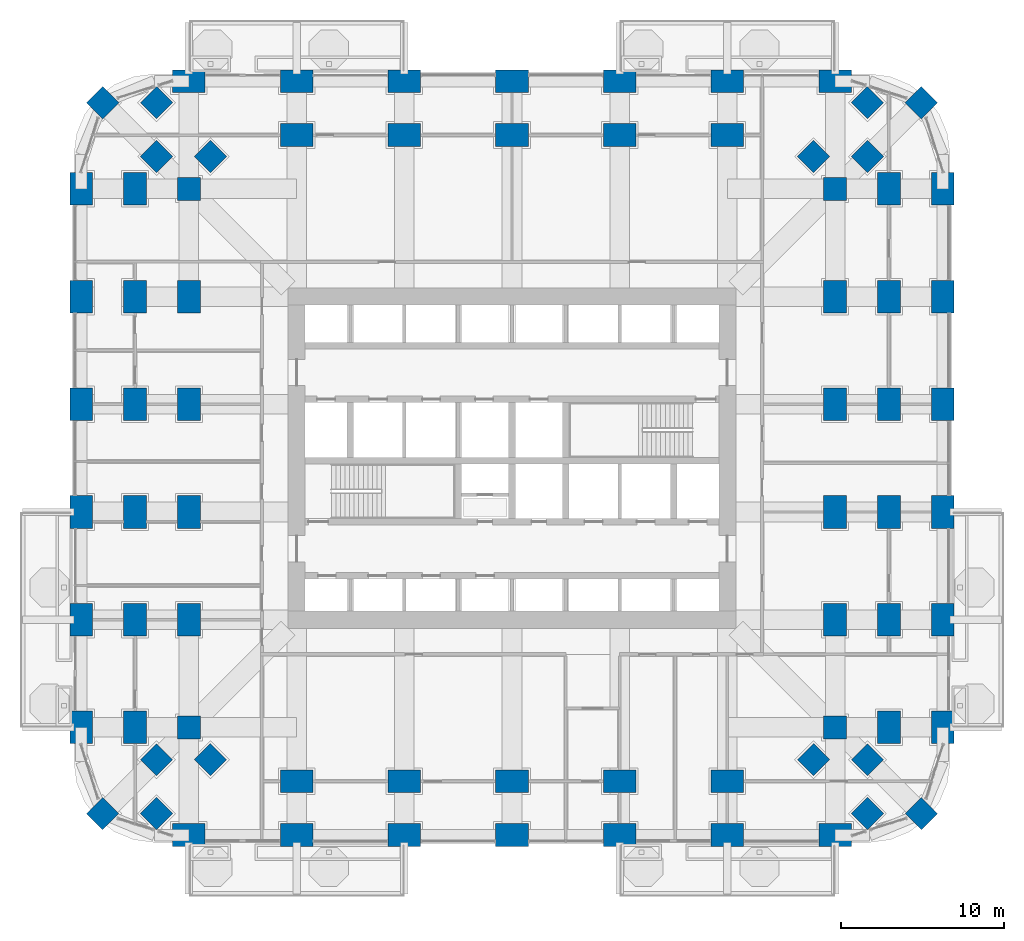
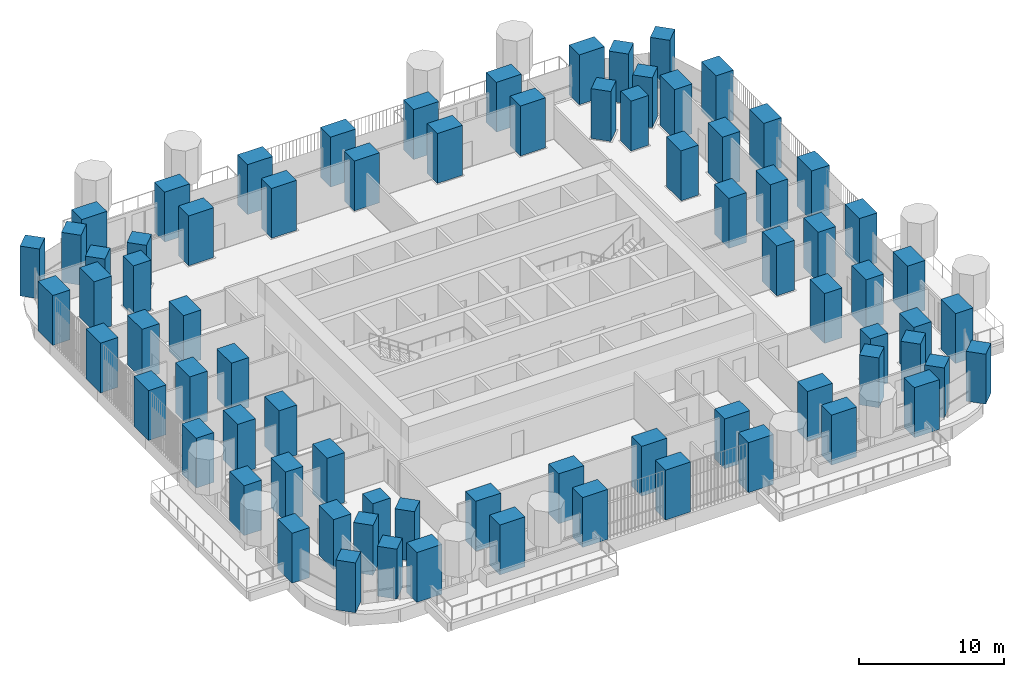
# One storey, part 1 of 25: 76 columns.
"""IFC4 building model written with IfcOpenShell, lengths in metres."""

from ifc_helpers import new_model, si_unit, direction, frame, origin, origin_2d, place, context, subcontext, project, spatial, rectangle, extrude, material, material_profile, profile_set, type_object, element, save


model = new_model("IFC4")

# Units and contexts
model_context = context("Model", 3, precision=1e-05, world=origin(), true_north=direction((0.0, 1.0)))
body_context = subcontext(model_context, "Body", "Model", "MODEL_VIEW")
ifc_project = project(units=[si_unit("LENGTHUNIT", "METRE"), si_unit("AREAUNIT", "SQUARE_METRE"), si_unit("VOLUMEUNIT", "CUBIC_METRE"), si_unit("PLANEANGLEUNIT", "RADIAN"), si_unit("MASSUNIT", "GRAM", prefix="KILO")], contexts=[model_context])

# Site, building, storey
site_placement = place(None, origin())
site = spatial("IfcSite", under=ifc_project, at=site_placement, CompositionType="ELEMENT")
building_placement = place(site_placement, origin())
building = spatial("IfcBuilding", under=site, at=building_placement, Name="Cobogo Forest Laboratory Tower", CompositionType="ELEMENT")
storey_placement = place(building_placement, frame((0.0, 0.0, 21.300048828125)))
storey = spatial("IfcBuildingStorey", under=building, at=storey_placement, Name="L04", CompositionType="ELEMENT", Elevation=21.300048828125)

# Columns
ifc_material = material(Name="Concrete HA-50 (C50/60)", Category="concrete")
ifc_material_profile_1 = material_profile(ifc_material, rectangle(XDim=2.0, YDim=1.39990234375, at=origin_2d()), Name="RC 1400x2000")
ifc_profile_set_1 = profile_set([ifc_material_profile_1], Name="Concrete HA-50 (C50/60)")
column_type_1 = type_object("IfcColumnType", Name="Blade column 1400x2000", PredefinedType="COLUMN", material=ifc_profile_set_1)
for number, where, z_axis, x_axis, name in (
    (1, (6.60009765625, 0.0, 0.0), (0.0, 0.0, 1.0), (1.0, 0.0, 0.0), "Column 2-A L04"),
    (2, (13.199951171875, 0.0, 0.0), (0.0, 0.0, 1.0), (1.0, 0.0, 0.0), "Column 3-A L04"),
    (3, (19.800048828125, 0.0, 0.0), (0.0, 0.0, 1.0), (1.0, 0.0, 0.0), "Column 4-A L04"),
    (4, (26.39990234375, 0.0, 0.0), (0.0, 0.0, 1.0), (1.0, 0.0, 0.0), "Column 5-A L04"),
    (5, (33.0, 0.0, 0.0), (0.0, 0.0, 1.0), (1.0, 0.0, 0.0), "Column 6-A L04"),
    (6, (39.60009765625, 0.0, 0.0), (0.0, 0.0, 1.0), (1.0, 0.0, 0.0), "Column 7-A L04"),
    (7, (46.199951171875, 0.0, 0.0), (0.0, 0.0, 1.0), (1.0, 0.0, 0.0), "Column 8-A L04"),
    (8, (0.0, 6.60009765625, 0.0), (0.0, 0.0, 1.0), (0.0, 1.0, 0.0), "Column 1-B L04"),
    (9, (52.800048828125, 6.60009765625, 0.0), (0.0, 0.0, 1.0), (0.0, 1.0, 0.0), "Column 9-B L04"),
    (10, (0.0, 13.199951171875, 0.0), (0.0, 0.0, 1.0), (0.0, 1.0, 0.0), "Column 1-C L04"),
    (11, (52.800048828125, 13.199951171875, 0.0), (0.0, 0.0, 1.0), (0.0, 1.0, 0.0), "Column 9-C L04"),
    (12, (0.0, 19.800048828125, 0.0), (0.0, 0.0, 1.0), (0.0, 1.0, 0.0), "Column 1-D L04"),
    (13, (52.800048828125, 19.800048828125, 0.0), (0.0, 0.0, 1.0), (0.0, 1.0, 0.0), "Column 9-D L04"),
    (14, (0.0, 26.39990234375, 0.0), (0.0, 0.0, 1.0), (0.0, 1.0, 0.0), "Column 1-E L04"),
    (15, (52.800048828125, 26.39990234375, 0.0), (0.0, 0.0, 1.0), (0.0, 1.0, 0.0), "Column 9-E L04"),
    (16, (0.0, 33.0, 0.0), (0.0, 0.0, 1.0), (0.0, 1.0, 0.0), "Column 1-F L04"),
    (17, (52.800048828125, 33.0, 0.0), (0.0, 0.0, 1.0), (0.0, 1.0, 0.0), "Column 9-F L04"),
    (18, (0.0, 39.60009765625, 0.0), (0.0, 0.0, 1.0), (0.0, 1.0, 0.0), "Column 1-G L04"),
    (19, (52.800048828125, 39.60009765625, 0.0), (0.0, 0.0, 1.0), (0.0, 1.0, 0.0), "Column 9-G L04"),
    (20, (6.60009765625, 46.199951171875, 0.0), (0.0, 0.0, 1.0), (1.0, 0.0, 0.0), "Column 2-H L04"),
    (21, (13.199951171875, 46.199951171875, 0.0), (0.0, 0.0, 1.0), (1.0, 0.0, 0.0), "Column 3-H L04"),
    (22, (19.800048828125, 46.199951171875, 0.0), (0.0, 0.0, 1.0), (1.0, 0.0, 0.0), "Column 4-H L04"),
    (23, (26.39990234375, 46.199951171875, 0.0), (0.0, 0.0, 1.0), (1.0, 0.0, 0.0), "Column 5-H L04"),
    (24, (33.0, 46.199951171875, 0.0), (0.0, 0.0, 1.0), (1.0, 0.0, 0.0), "Column 6-H L04"),
    (25, (39.60009765625, 46.199951171875, 0.0), (0.0, 0.0, 1.0), (1.0, 0.0, 0.0), "Column 7-H L04"),
    (26, (46.199951171875, 46.199951171875, 0.0), (0.0, 0.0, 1.0), (1.0, 0.0, 0.0), "Column 8-H L04"),
    (27, (3.300048828125, 6.60009765625, 0.0), (0.0, 0.0, 1.0), (0.0, 1.0, 0.0), "Column 1.1-B-B L04"),
    (28, (49.5, 6.60009765625, 0.0), (0.0, 0.0, 1.0), (0.0, 1.0, 0.0), "Column 8.1-B-B L04"),
    (29, (3.300048828125, 13.199951171875, 0.0), (0.0, 0.0, 1.0), (0.0, 1.0, 0.0), "Column 1.1-C-B L04"),
    (30, (49.5, 13.199951171875, 0.0), (0.0, 0.0, 1.0), (0.0, 1.0, 0.0), "Column 8.1-C-B L04"),
    (31, (3.300048828125, 19.800048828125, 0.0), (0.0, 0.0, 1.0), (0.0, 1.0, 0.0), "Column 1.1-D-B L04"),
    (32, (49.5, 19.800048828125, 0.0), (0.0, 0.0, 1.0), (0.0, 1.0, 0.0), "Column 8.1-D-B L04"),
    (33, (3.300048828125, 26.39990234375, 0.0), (0.0, 0.0, 1.0), (0.0, 1.0, 0.0), "Column 1.1-E-B L04"),
    (34, (49.5, 26.39990234375, 0.0), (0.0, 0.0, 1.0), (0.0, 1.0, 0.0), "Column 8.1-E-B L04"),
    (35, (3.300048828125, 33.0, 0.0), (0.0, 0.0, 1.0), (0.0, 1.0, 0.0), "Column 1.1-F-B L04"),
    (36, (49.5, 33.0, 0.0), (0.0, 0.0, 1.0), (0.0, 1.0, 0.0), "Column 8.1-F-B L04"),
    (37, (3.300048828125, 39.60009765625, 0.0), (0.0, 0.0, 1.0), (0.0, 1.0, 0.0), "Column 1.1-G-B L04"),
    (38, (49.5, 39.60009765625, 0.0), (0.0, 0.0, 1.0), (0.0, 1.0, 0.0), "Column 8.1-G-B L04"),
    (39, (13.199951171875, 3.300048828125, 0.0), (0.0, 0.0, 1.0), (1.0, 0.0, 0.0), "Column 3-A.1-C L04"),
    (40, (19.800048828125, 3.300048828125, 0.0), (0.0, 0.0, 1.0), (1.0, 0.0, 0.0), "Column 4-A.1-C L04"),
    (41, (26.39990234375, 3.300048828125, 0.0), (0.0, 0.0, 1.0), (1.0, 0.0, 0.0), "Column 5-A.1-C L04"),
    (42, (33.0, 3.300048828125, 0.0), (0.0, 0.0, 1.0), (1.0, 0.0, 0.0), "Column 6-A.1-C L04"),
    (43, (39.60009765625, 3.300048828125, 0.0), (0.0, 0.0, 1.0), (1.0, 0.0, 0.0), "Column 7-A.1-C L04"),
    (44, (13.199951171875, 42.89990234375, 0.0), (0.0, 0.0, 1.0), (1.0, 0.0, 0.0), "Column 3-G.1-C L04"),
    (45, (19.800048828125, 42.89990234375, 0.0), (0.0, 0.0, 1.0), (1.0, 0.0, 0.0), "Column 4-G.1-C L04"),
    (46, (26.39990234375, 42.89990234375, 0.0), (0.0, 0.0, 1.0), (1.0, 0.0, 0.0), "Column 5-G.1-C L04"),
    (47, (33.0, 42.89990234375, 0.0), (0.0, 0.0, 1.0), (1.0, 0.0, 0.0), "Column 6-G.1-C L04"),
    (48, (39.60009765625, 42.89990234375, 0.0), (0.0, 0.0, 1.0), (1.0, 0.0, 0.0), "Column 7-G.1-C L04"),
    (49, (6.60009765625, 13.199951171875, 0.0), (0.0, 0.0, 1.0), (0.0, 1.0, 0.0), "Column 2-C-D L04"),
    (50, (46.199951171875, 13.199951171875, 0.0), (0.0, 0.0, 1.0), (0.0, 1.0, 0.0), "Column 8-C-D L04"),
    (51, (6.60009765625, 19.800048828125, 0.0), (0.0, 0.0, 1.0), (0.0, 1.0, 0.0), "Column 2-D-D L04"),
    (52, (46.199951171875, 19.800048828125, 0.0), (0.0, 0.0, 1.0), (0.0, 1.0, 0.0), "Column 8-D-D L04"),
    (53, (6.60009765625, 26.39990234375, 0.0), (0.0, 0.0, 1.0), (0.0, 1.0, 0.0), "Column 2-E-D L04"),
    (54, (46.199951171875, 26.39990234375, 0.0), (0.0, 0.0, 1.0), (0.0, 1.0, 0.0), "Column 8-E-D L04"),
    (55, (6.60009765625, 33.0, 0.0), (0.0, 0.0, 1.0), (0.0, 1.0, 0.0), "Column 2-F-D L04"),
    (56, (46.199951171875, 33.0, 0.0), (0.0, 0.0, 1.0), (0.0, 1.0, 0.0), "Column 8-F-D L04"),
):
    element("IfcColumn", number, at=place(storey_placement, frame(where, z_axis=z_axis, x_axis=x_axis)), inside=storey, type_object=column_type_1, Name=name, PredefinedType="COLUMN", context=body_context, shape_type="SweptSolid", body=[
        extrude(rectangle(XDim=2.0, YDim=1.39990234375, at=origin_2d()), origin(), (0.0, 0.0, 1.0), 4.199951171875),
    ])
ifc_material_profile_2 = material_profile(ifc_material, rectangle(XDim=1.39990234375, YDim=1.39990234375, at=origin_2d()), Name="RC 1400x1400")
ifc_profile_set_2 = profile_set([ifc_material_profile_2], Name="Concrete HA-50 (C50/60)")
column_type_2 = type_object("IfcColumnType", Name="Column 1400x1400", PredefinedType="COLUMN", material=ifc_profile_set_2)
for number, where, z_axis, x_axis, name in (
    (57, (1.318115234375, 1.318115234375, 0.0), (0.0, 0.0, 1.0), (0.707106781187, 0.707106781187, 0.0), "Column CNR-SW L04"),
    (58, (51.48193359375, 1.318115234375, 0.0), (0.0, 0.0, 1.0), (0.707106781187, 0.707106781187, 0.0), "Column CNR-SE L04"),
    (59, (1.318115234375, 44.882080078125, 0.0), (0.0, 0.0, 1.0), (0.707106781187, 0.707106781187, 0.0), "Column CNR-NW L04"),
    (60, (51.48193359375, 44.882080078125, 0.0), (0.0, 0.0, 1.0), (0.707106781187, 0.707106781187, 0.0), "Column CNR-NE L04"),
    (61, (6.60009765625, 6.60009765625, 0.0), (0.0, 0.0, 1.0), (1.0, 0.0, 0.0), "Column 2-B L04"),
    (62, (46.199951171875, 6.60009765625, 0.0), (0.0, 0.0, 1.0), (1.0, 0.0, 0.0), "Column 8-B L04"),
    (63, (6.60009765625, 39.60009765625, 0.0), (0.0, 0.0, 1.0), (1.0, 0.0, 0.0), "Column 2-G L04"),
    (64, (46.199951171875, 39.60009765625, 0.0), (0.0, 0.0, 1.0), (1.0, 0.0, 0.0), "Column 8-G L04"),
    (65, (4.617919921875, 1.318115234375, 0.0), (0.0, 0.0, 1.0), (0.707106781187, 0.707106781187, 0.0), "Column CNR-SW-B L04"),
    (66, (48.181884765625, 1.318115234375, 0.0), (0.0, 0.0, 1.0), (0.707106781187, 0.707106781187, 0.0), "Column CNR-SE-B L04"),
    (67, (4.617919921875, 44.882080078125, 0.0), (0.0, 0.0, 1.0), (0.707106781187, 0.707106781187, 0.0), "Column CNR-NW-B L04"),
    (68, (48.181884765625, 44.882080078125, 0.0), (0.0, 0.0, 1.0), (0.707106781187, 0.707106781187, 0.0), "Column CNR-NE-B L04"),
    (69, (4.617919921875, 4.617919921875, 0.0), (0.0, 0.0, 1.0), (0.707106781187, 0.707106781187, 0.0), "Column CNR-SW-C L04"),
    (70, (48.181884765625, 4.617919921875, 0.0), (0.0, 0.0, 1.0), (0.707106781187, 0.707106781187, 0.0), "Column CNR-SE-C L04"),
    (71, (4.617919921875, 41.58203125, 0.0), (0.0, 0.0, 1.0), (0.707106781187, 0.707106781187, 0.0), "Column CNR-NW-C L04"),
    (72, (48.181884765625, 41.58203125, 0.0), (0.0, 0.0, 1.0), (0.707106781187, 0.707106781187, 0.0), "Column CNR-NE-C L04"),
    (73, (7.91796875, 4.617919921875, 0.0), (0.0, 0.0, 1.0), (0.707106781187, 0.707106781187, 0.0), "Column CNR-SW-D L04"),
    (74, (44.882080078125, 4.617919921875, 0.0), (0.0, 0.0, 1.0), (0.707106781187, 0.707106781187, 0.0), "Column CNR-SE-D L04"),
    (75, (7.91796875, 41.58203125, 0.0), (0.0, 0.0, 1.0), (0.707106781187, 0.707106781187, 0.0), "Column CNR-NW-D L04"),
    (76, (44.882080078125, 41.58203125, 0.0), (0.0, 0.0, 1.0), (0.707106781187, 0.707106781187, 0.0), "Column CNR-NE-D L04"),
):
    element("IfcColumn", number, at=place(storey_placement, frame(where, z_axis=z_axis, x_axis=x_axis)), inside=storey, type_object=column_type_2, Name=name, PredefinedType="COLUMN", context=body_context, shape_type="SweptSolid", body=[
        extrude(rectangle(XDim=1.39990234375, YDim=1.39990234375, at=origin_2d()), origin(), (0.0, 0.0, 1.0), 4.199951171875),
    ])

save(model, "model.ifc")
